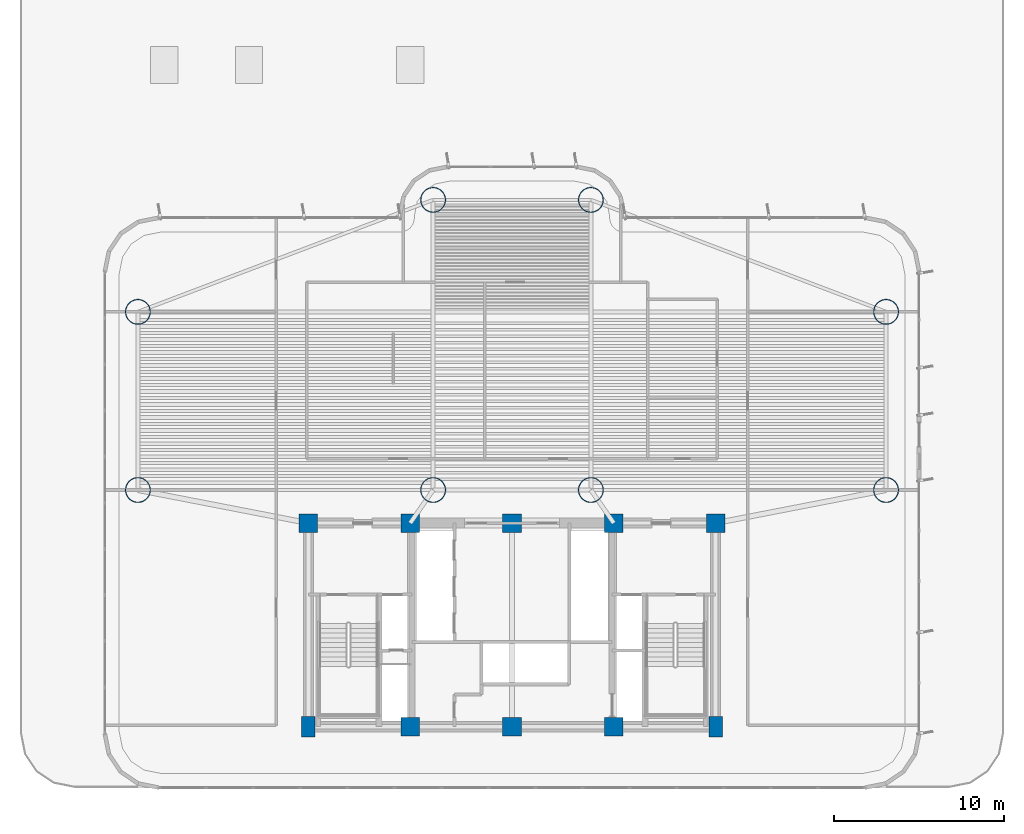
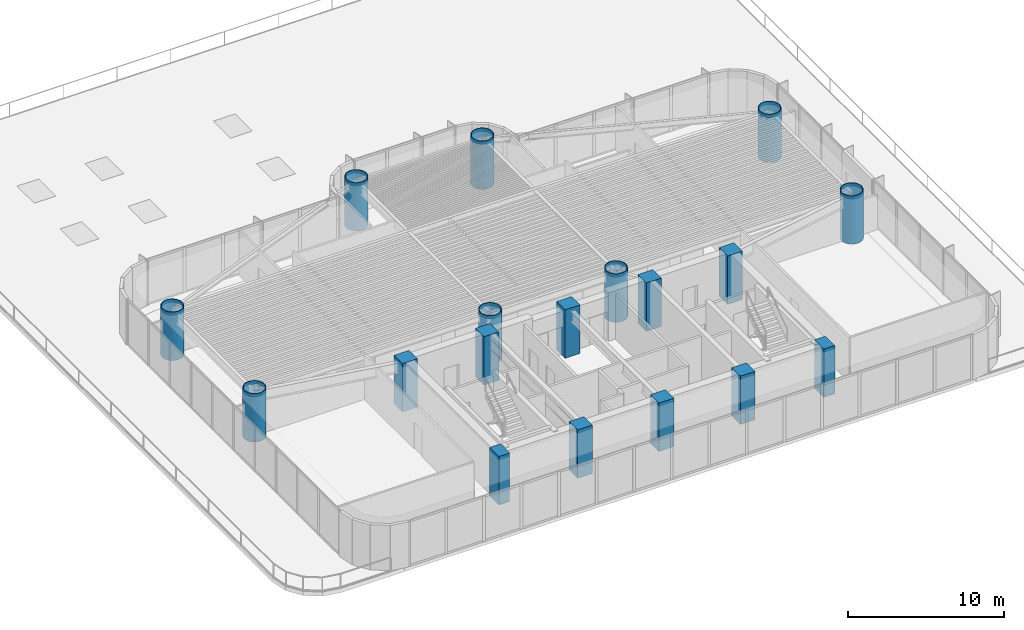
# One storey, part 1 of 17: 18 columns.
"""IFC4 building model written with IfcOpenShell, lengths in metres."""

import ifcopenshell
import ifcopenshell.guid

model = None  # the IFC model being written
_history = None  # IfcOwnerHistory: only IFC2X3 demands one
_inside = {}  # id of a spatial element -> (the spatial element, [elements in it])
_under = {}  # id of a project, library or spatial element -> (it, [spatial elements below it])
_declared = {}  # id of a project -> (the project, [libraries it declares])
_typed = {}  # id of a type object -> (the type object, [elements of that type])
_made_of = {}  # id of a material, layer set ... -> (it, [elements and type objects made of it])


def new_model(schema):
    """Start an empty IFC model of exactly this schema.

    Asked for "IFC4X3", IfcOpenShell would pick the latest addendum, in which some entities
    have other attributes; the version numbers below select the first issue.
    IFC2X3 requires an IfcOwnerHistory on every rooted entity: one is made here for all.
    """
    global model, _history
    if schema == "IFC4X3":
        model = ifcopenshell.file(schema_version=(4, 3, 0, 0))
    else:
        model = ifcopenshell.file(schema=schema)
    _inside.clear()
    _under.clear()
    _declared.clear()
    _typed.clear()
    _made_of.clear()
    _history = None
    if model.schema == "IFC2X3":
        org = make("IfcOrganization", Name="unknown")
        user = make(
            "IfcPersonAndOrganization",
            ThePerson=make("IfcPerson", FamilyName="unknown"),
            TheOrganization=org,
        )
        app = make(
            "IfcApplication",
            ApplicationDeveloper=org,
            Version="unknown",
            ApplicationFullName="unknown",
            ApplicationIdentifier="unknown",
        )
        _history = make(
            "IfcOwnerHistory",
            OwningUser=user,
            OwningApplication=app,
            ChangeAction="ADDED",
            CreationDate=0,
        )
    return model


def make(cls, **values):
    """One entity of the class cls with the attributes given. An attribute that is None is left unset."""
    return model.create_entity(
        cls, **{name: value for name, value in values.items() if value is not None}
    )


def rooted(cls, **values):
    """An entity with a GlobalId (a new one), such as an element, a storey or a relation."""
    return make(cls, GlobalId=ifcopenshell.guid.new(), OwnerHistory=_history, **values)


def si_unit(unit_type, name, prefix=None):
    """IfcSIUnit, for example si_unit("LENGTHUNIT", "METRE", prefix="MILLI")."""
    return make("IfcSIUnit", UnitType=unit_type, Prefix=prefix, Name=name)


def assignment(units):
    """IfcUnitAssignment: the units of a project."""
    return None if units is None else make("IfcUnitAssignment", Units=units)


def point(xyz):
    """IfcCartesianPoint."""
    return None if xyz is None else make("IfcCartesianPoint", Coordinates=xyz)


def direction(xyz):
    """IfcDirection."""
    return None if xyz is None else make("IfcDirection", DirectionRatios=xyz)


def frame(location, z_axis=None, x_axis=None):
    """IfcAxis2Placement3D, a coordinate frame: its origin and axes. An axis left out is left unset."""
    return make(
        "IfcAxis2Placement3D",
        Location=point(location),
        Axis=direction(z_axis),
        RefDirection=direction(x_axis),
    )


def frame_2d(location, x_axis=None):
    """IfcAxis2Placement2D, a coordinate frame in the plane: its origin and x axis."""
    return make(
        "IfcAxis2Placement2D", Location=point(location), RefDirection=direction(x_axis)
    )


def origin():
    """The frame at (0, 0, 0) with its axes left unset."""
    return frame((0.0, 0.0, 0.0))


def origin_2d():
    """The frame at (0, 0) in the plane with its x axis left unset."""
    return frame_2d((0.0, 0.0))


def place(relative_to, where):
    """IfcLocalPlacement: puts the frame where relative to a parent placement (None: the world)."""
    return make(
        "IfcLocalPlacement", PlacementRelTo=relative_to, RelativePlacement=where
    )


def context(
    kind, dimensions, precision=None, world=None, true_north=None, identifier=None
):
    """IfcGeometricRepresentationContext, for example the 3D "Model" context."""
    return make(
        "IfcGeometricRepresentationContext",
        ContextIdentifier=identifier,
        ContextType=kind,
        CoordinateSpaceDimension=dimensions,
        Precision=precision,
        WorldCoordinateSystem=world,
        TrueNorth=true_north,
    )


def subcontext(parent, identifier, kind, view, scale=None):
    """IfcGeometricRepresentationSubContext, for example "Body" below "Model"."""
    return make(
        "IfcGeometricRepresentationSubContext",
        ContextIdentifier=identifier,
        ContextType=kind,
        ParentContext=parent,
        TargetScale=scale,
        TargetView=view,
    )


def project(units=None, contexts=None):
    """IfcProject with its units and contexts."""
    return rooted(
        "IfcProject",
        Name="project",
        RepresentationContexts=contexts,
        UnitsInContext=assignment(units),
    )


def spatial(cls, under=None, at=None, **own):
    """A site, building, storey or space (cls), placed at a placement, below another one or the project."""
    s = rooted(cls, ObjectPlacement=at, **own)
    if under is not None:
        _under.setdefault(under.id(), (under, []))[1].append(s)
    return s


def profile(cls, at=None, kind="AREA", **sizes):
    """A parametric profile (cls). Its sizes go by their IFC names, for example OverallWidth=200.0."""
    return make(cls, ProfileType=kind, Position=at, **sizes)


def rectangle(**sizes):
    """IfcRectangleProfileDef."""
    return profile("IfcRectangleProfileDef", **sizes)


def hollow_circle(**sizes):
    """IfcCircleHollowProfileDef."""
    return profile("IfcCircleHollowProfileDef", **sizes)


def extrude(swept, where, along, depth):
    """IfcExtrudedAreaSolid: the profile swept, set in the frame where, extruded along a direction by depth."""
    return make(
        "IfcExtrudedAreaSolid",
        SweptArea=swept,
        Position=where,
        ExtrudedDirection=direction(along),
        Depth=depth,
    )


def shape(context_of_items, identifier, shape_type, items):
    """IfcShapeRepresentation: the items that make up one representation, for example the "Body"."""
    return make(
        "IfcShapeRepresentation",
        ContextOfItems=context_of_items,
        RepresentationIdentifier=identifier,
        RepresentationType=shape_type,
        Items=items,
    )


def source(mapping_origin, context_of_items, identifier, shape_type, items):
    """IfcRepresentationMap: a shape defined once, which mapped items show again and again."""
    return make(
        "IfcRepresentationMap",
        MappingOrigin=mapping_origin,
        MappedRepresentation=shape(context_of_items, identifier, shape_type, items),
    )


def transform(
    local_origin,
    x_axis=None,
    y_axis=None,
    z_axis=None,
    scale=None,
    scale2=None,
    scale3=None,
    uniform=True,
):
    """IfcCartesianTransformationOperator3D, or its non-uniform kind. x_axis, y_axis, z_axis: its Axis1, 2, 3."""
    if uniform:
        return make(
            "IfcCartesianTransformationOperator3D",
            Axis1=direction(x_axis),
            Axis2=direction(y_axis),
            LocalOrigin=point(local_origin),
            Scale=scale,
            Axis3=direction(z_axis),
        )
    return make(
        "IfcCartesianTransformationOperator3DnonUniform",
        Axis1=direction(x_axis),
        Axis2=direction(y_axis),
        LocalOrigin=point(local_origin),
        Scale=scale,
        Axis3=direction(z_axis),
        Scale2=scale2,
        Scale3=scale3,
    )


def mapped(mapping_source, mapping_target):
    """IfcMappedItem: shows the shape of a source again, moved by a transform."""
    return make(
        "IfcMappedItem", MappingSource=mapping_source, MappingTarget=mapping_target
    )


def material(Name=None, Category=None):
    """IfcMaterial."""
    return make("IfcMaterial", Name=Name, Category=Category)


def material_profile(
    of_material, cross_section, Name=None, Category=None, Priority=None
):
    """IfcMaterialProfile: a cross section and its material."""
    return make(
        "IfcMaterialProfile",
        Name=Name,
        Material=of_material,
        Profile=cross_section,
        Priority=Priority,
        Category=Category,
    )


def profile_set(profiles, Name=None, composite=None):
    """IfcMaterialProfileSet."""
    return make(
        "IfcMaterialProfileSet",
        Name=Name,
        MaterialProfiles=profiles,
        CompositeProfile=composite,
    )


def made_of(thing, what):
    """Note that an element or type object is made of a material, layer set ...; save() writes the relation."""
    if what is not None:
        _made_of.setdefault(what.id(), (what, []))[1].append(thing)
    return thing


def type_object(cls, material=None, **own):
    """A type object (cls), such as IfcWallType, which elements share."""
    return made_of(rooted(cls, **own), material)


def element(
    cls,
    number,
    at=None,
    inside=None,
    cuts=None,
    type_object=None,
    material=None,
    context=None,
    identifier="Body",
    shape_type=None,
    held_by="IfcProductDefinitionShape",
    body=None,
    shapes=None,
    **own,
):
    """One element of the class cls, such as IfcWall. Its Tag is "e" and its number.

    at: its placement. inside: the storey or other place that contains it. cuts: it is an
    opening in that element (IfcRelVoidsElement). A single representation is given by context,
    identifier, shape_type and body (its items); several are given by shapes. held_by: the class
    of the entity that holds the representations. save() writes the other relations.
    """
    e = rooted(cls, Tag="e%d" % number, ObjectPlacement=at, **own)
    if body is not None:
        shapes = [shape(context, identifier, shape_type, body)]
    if shapes is not None:
        e.Representation = make(held_by, Representations=shapes)
    if inside is not None:
        _inside.setdefault(inside.id(), (inside, []))[1].append(e)
    if cuts is not None:
        rooted(
            "IfcRelVoidsElement", RelatingBuildingElement=cuts, RelatedOpeningElement=e
        )
    if type_object is not None:
        _typed.setdefault(type_object.id(), (type_object, []))[1].append(e)
    return made_of(e, material)


def aggregate(whole, parts):
    """IfcRelAggregates: a whole, such as a stair, and the parts it consists of."""
    return rooted("IfcRelAggregates", RelatingObject=whole, RelatedObjects=parts)


def save(model, path):
    """Write the relations noted so far, then the file.

    IfcRelAggregates (storeys below a building ...), IfcRelContainedInSpatialStructure (elements
    in a storey), IfcRelDefinesByType, IfcRelAssociatesMaterial and IfcRelDeclares: one each for
    every whole, place, type object, material and project.
    """
    for whole, parts in _under.values():
        aggregate(whole, parts)
    for where, things in _inside.values():
        rooted(
            "IfcRelContainedInSpatialStructure",
            RelatedElements=things,
            RelatingStructure=where,
        )
    for kind, things in _typed.values():
        rooted("IfcRelDefinesByType", RelatedObjects=things, RelatingType=kind)
    for what, things in _made_of.values():
        rooted("IfcRelAssociatesMaterial", RelatedObjects=things, RelatingMaterial=what)
    for by, libraries in _declared.values():
        rooted("IfcRelDeclares", RelatingContext=by, RelatedDefinitions=libraries)
    model.write(path)


model = new_model("IFC4")

# Units and contexts
model_context = context("Model", 3, precision=1e-05, world=origin(), true_north=direction((0.0, 1.0)))
body_context = subcontext(model_context, "Body", "Model", "MODEL_VIEW")
ifc_project = project(units=[si_unit("LENGTHUNIT", "METRE"), si_unit("AREAUNIT", "SQUARE_METRE"), si_unit("VOLUMEUNIT", "CUBIC_METRE"), si_unit("PLANEANGLEUNIT", "RADIAN"), si_unit("MASSUNIT", "GRAM", prefix="KILO")], contexts=[model_context])

# Site, building, storey
site_placement = place(None, origin())
site = spatial("IfcSite", under=ifc_project, at=site_placement, CompositionType="ELEMENT")
building_placement = place(site_placement, origin())
building = spatial("IfcBuilding", under=site, at=building_placement, Name="Brelvock Crest Care Tower", CompositionType="ELEMENT")
storey_placement = place(building_placement, frame((0.0, 0.0, 27.0)))
storey = spatial("IfcBuildingStorey", under=building, at=storey_placement, Name="L06", CompositionType="ELEMENT", Elevation=27.0)

# Columns
ifc_material_1 = material(Name="Concrete S80 (80 MPa)", Category="concrete")
ifc_material_profile_1 = material_profile(ifc_material_1, rectangle(XDim=0.800048828125, YDim=1.199951171875, at=origin_2d()), Name="RC800x1200")
ifc_profile_set_1 = profile_set([ifc_material_profile_1], Name="Concrete S80 (80 MPa)")
column_type_1 = type_object("IfcColumnType", Name="COL-RC5", PredefinedType="COLUMN", material=ifc_profile_set_1)
shared_shape_1 = source(origin(), body_context, "Body", "SweptSolid", [
    extrude(rectangle(XDim=0.800048828125, YDim=1.199951171875, at=origin_2d()), origin(), (0.0, 0.0, 1.0), 3.780029296875),
])
for number, where, z_axis, x_axis, name in (
    (1, (24.0, 6.0, 0.0), (0.0, 0.0, 1.0), (1.0, 0.0, 0.0), "L06 Core Column CC-01"),
    (2, (48.0, 6.0, 0.0), (0.0, 0.0, 1.0), (1.0, 0.0, 0.0), "L06 Core Column CC-05"),
):
    element("IfcColumn", number, at=place(storey_placement, frame(where, z_axis=z_axis, x_axis=x_axis)), inside=storey, type_object=column_type_1, Name=name, PredefinedType="COLUMN", context=body_context, shape_type="MappedRepresentation", body=[
        mapped(shared_shape_1, transform((0.0, 0.0, 0.0), x_axis=(1.0, 0.0, 0.0), y_axis=(0.0, 1.0, 0.0), z_axis=(0.0, 0.0, 1.0), scale=1.0)),
    ])
ifc_material_profile_2 = material_profile(ifc_material_1, rectangle(XDim=1.10009765625, YDim=1.10009765625, at=origin_2d()), Name="RC1100x1100")
ifc_profile_set_2 = profile_set([ifc_material_profile_2], Name="Concrete S80 (80 MPa)")
column_type_2 = type_object("IfcColumnType", Name="COL-RC1", PredefinedType="COLUMN", material=ifc_profile_set_2)
shared_shape_2 = source(origin(), body_context, "Body", "SweptSolid", [
    extrude(rectangle(XDim=1.10009765625, YDim=1.10009765625, at=origin_2d()), origin(), (0.0, 0.0, 1.0), 3.780029296875),
])
for number, where, z_axis, x_axis, name in (
    (3, (30.0, 6.0, 0.0), (0.0, 0.0, 1.0), (1.0, 0.0, 0.0), "L06 Core Column CC-02"),
    (4, (36.0, 6.0, 0.0), (0.0, 0.0, 1.0), (1.0, 0.0, 0.0), "L06 Core Column CC-03"),
    (5, (42.0, 6.0, 0.0), (0.0, 0.0, 1.0), (1.0, 0.0, 0.0), "L06 Core Column CC-04"),
    (6, (24.0, 18.0, 0.0), (0.0, 0.0, 1.0), (1.0, 0.0, 0.0), "L06 Core Column CC-06"),
    (7, (30.0, 18.0, 0.0), (0.0, 0.0, 1.0), (1.0, 0.0, 0.0), "L06 Core Column CC-07"),
    (8, (36.0, 18.0, 0.0), (0.0, 0.0, 1.0), (1.0, 0.0, 0.0), "L06 Core Column CC-08"),
    (9, (42.0, 18.0, 0.0), (0.0, 0.0, 1.0), (1.0, 0.0, 0.0), "L06 Core Column CC-09"),
    (10, (48.0, 18.0, 0.0), (0.0, 0.0, 1.0), (1.0, 0.0, 0.0), "L06 Core Column CC-10"),
):
    element("IfcColumn", number, at=place(storey_placement, frame(where, z_axis=z_axis, x_axis=x_axis)), inside=storey, type_object=column_type_2, Name=name, PredefinedType="COLUMN", context=body_context, shape_type="MappedRepresentation", body=[
        mapped(shared_shape_2, transform((0.0, 0.0, 0.0), x_axis=(1.0, 0.0, 0.0), y_axis=(0.0, 1.0, 0.0), z_axis=(0.0, 0.0, 1.0), scale=1.0)),
    ])
ifc_material_2 = material(Name="Steel Grade 350", Category="steel")
ifc_material_profile_3 = material_profile(ifc_material_2, hollow_circle(Radius=0.75, WallThickness=0.050048828125, at=origin_2d()), Name="CFT1500x50")
ifc_profile_set_3 = profile_set([ifc_material_profile_3], Name="Steel Grade 350")
column_type_3 = type_object("IfcColumnType", Name="COL-MC1", PredefinedType="COLUMN", material=ifc_profile_set_3)
shared_shape_3 = source(origin(), body_context, "Body", "SweptSolid", [
    extrude(hollow_circle(Radius=0.75, WallThickness=0.050048828125, at=origin_2d()), origin(), (0.0, 0.0, 1.0), 3.780029296875),
])
for number, where, z_axis, x_axis, name in (
    (11, (13.949951171875, 19.949951171875, 0.0), (0.0, 0.0, 1.0), (1.0, 0.0, 0.0), "L06 Tower Column M1"),
    (12, (13.949951171875, 30.449951171875, 0.0), (0.0, 0.0, 1.0), (1.0, 0.0, 0.0), "L06 Tower Column M2"),
    (13, (58.050048828125, 19.949951171875, 0.0), (0.0, 0.0, 1.0), (1.0, 0.0, 0.0), "L06 Tower Column M3"),
    (14, (58.050048828125, 30.449951171875, 0.0), (0.0, 0.0, 1.0), (1.0, 0.0, 0.0), "L06 Tower Column M4"),
    (15, (31.35009765625, 19.949951171875, 0.0), (0.0, 0.0, 1.0), (1.0, 0.0, 0.0), "L06 Tower Column M5"),
    (16, (40.64990234375, 19.949951171875, 0.0), (0.0, 0.0, 1.0), (1.0, 0.0, 0.0), "L06 Tower Column M6"),
    (17, (31.35009765625, 37.050048828125, 0.0), (0.0, 0.0, 1.0), (1.0, 0.0, 0.0), "L06 Tower Column M7"),
    (18, (40.64990234375, 37.050048828125, 0.0), (0.0, 0.0, 1.0), (1.0, 0.0, 0.0), "L06 Tower Column M8"),
):
    element("IfcColumn", number, at=place(storey_placement, frame(where, z_axis=z_axis, x_axis=x_axis)), inside=storey, type_object=column_type_3, Name=name, PredefinedType="COLUMN", context=body_context, shape_type="MappedRepresentation", body=[
        mapped(shared_shape_3, transform((0.0, 0.0, 0.0), x_axis=(1.0, 0.0, 0.0), y_axis=(0.0, 1.0, 0.0), z_axis=(0.0, 0.0, 1.0), scale=1.0)),
    ])

save(model, "model.ifc")
